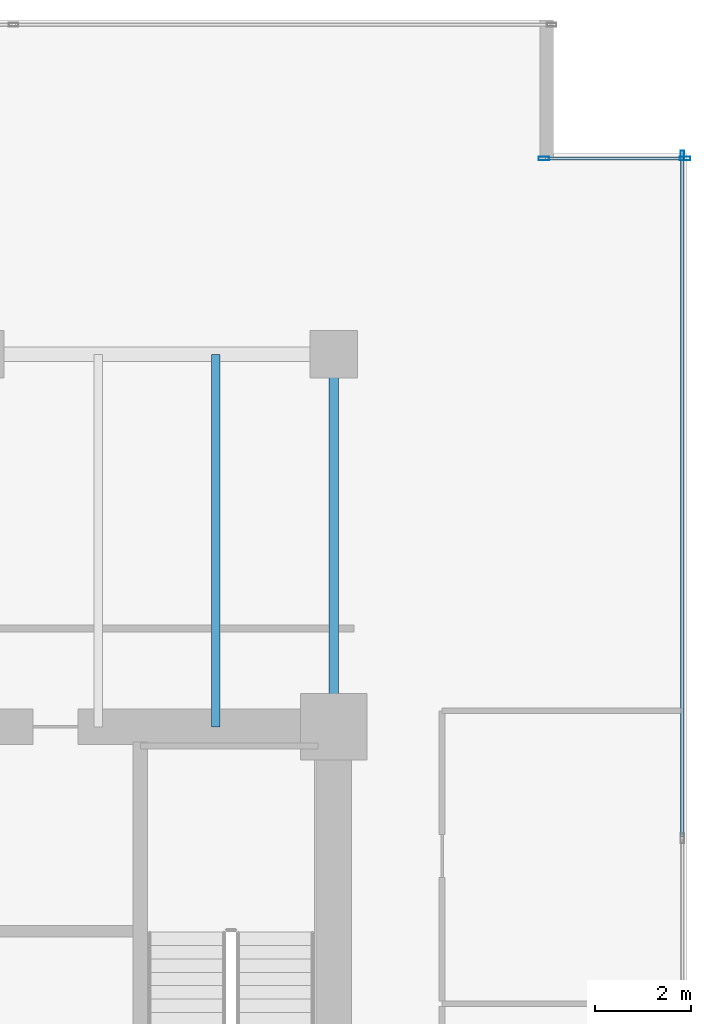
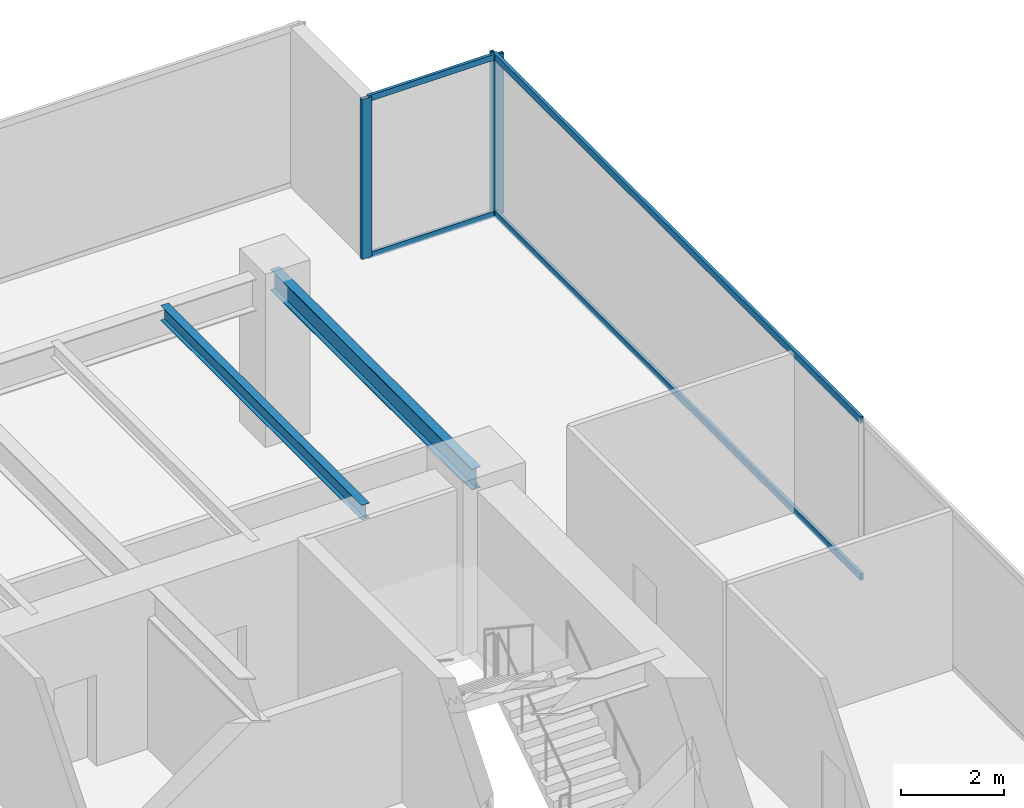
# One storey, part 26 of 35: 7 members, 2 beams, 2 elements without a shape of their own.
"""IFC4 building model written with IfcOpenShell, lengths in metres."""

from ifc_helpers import new_model, si_unit, direction, frame, origin, origin_2d, place, context, subcontext, project, spatial, hollow_rectangle, i_section, extrude, source, transform, mapped, material, layer, layer_set, material_profile, profile_set, type_object, type_shapes, element, aggregate, save


model = new_model("IFC4")

# Units and contexts
model_context = context("Model", 3, precision=1e-05, world=origin(), true_north=direction((0.0, 1.0)))
body_context = subcontext(model_context, "Body", "Model", "MODEL_VIEW")
ifc_project = project(units=[si_unit("LENGTHUNIT", "METRE"), si_unit("AREAUNIT", "SQUARE_METRE"), si_unit("VOLUMEUNIT", "CUBIC_METRE"), si_unit("PLANEANGLEUNIT", "RADIAN"), si_unit("MASSUNIT", "GRAM", prefix="KILO")], contexts=[model_context])

# Site, building, storey
site_placement = place(None, origin())
site = spatial("IfcSite", under=ifc_project, at=site_placement, CompositionType="ELEMENT")
building_placement = place(site_placement, origin())
building = spatial("IfcBuilding", under=site, at=building_placement, Name="Haelvirn Gate Laboratories", CompositionType="ELEMENT")
storey_placement = place(building_placement, frame((0.0, 0.0, 45.699951171875)))
storey = spatial("IfcBuildingStorey", under=building, at=storey_placement, Name="L11", CompositionType="ELEMENT", Elevation=45.699951171875)

# Beams
ifc_material_1 = material(Name="Steel SM355", Category="steel")
ifc_material_profile_1 = material_profile(ifc_material_1, i_section(OverallWidth=0.199951171875, OverallDepth=0.5, WebThickness=0.010009765625, FlangeThickness=0.01611328125, at=origin_2d()), Name="H-500x200x10x16")
ifc_profile_set_1 = profile_set([ifc_material_profile_1], Name="Steel SM355")
beam_type_1 = type_object("IfcBeamType", Name="BM-SP-500", PredefinedType="SPANDREL", material=ifc_profile_set_1)
shared_shape_1 = source(origin(), body_context, "Body", "SweptSolid", [
    extrude(i_section(OverallWidth=0.199951171875, OverallDepth=0.5, WebThickness=0.010009765625, FlangeThickness=0.01611328125, at=origin_2d()), origin(), (0.0, 0.0, 1.0), 7.800048828125),
])
type_shapes(beam_type_1, [shared_shape_1])
beam_1_placement = place(storey_placement, frame((67.39990234375, 33.800048828125, 3.530029296875), z_axis=(0.0, 1.0, 0.0), x_axis=(-1.0, 0.0, 0.0)))
element("IfcBeam", 1, at=beam_1_placement, inside=storey, type_object=beam_type_1, Name="L11 Perimeter Spandrel X67.4 (33.8-41.6)", PredefinedType="SPANDREL", context=body_context, shape_type="MappedRepresentation", body=[
    mapped(shared_shape_1, transform((0.0, 0.0, 0.0), scale=1.0)),
])
ifc_material_profile_2 = material_profile(ifc_material_1, i_section(OverallWidth=0.175048828125, OverallDepth=0.35009765625, WebThickness=0.007080078125, FlangeThickness=0.010986328125, at=origin_2d()), Name="H-350x175x7x11")
ifc_profile_set_2 = profile_set([ifc_material_profile_2], Name="Steel SM355")
beam_type_2 = type_object("IfcBeamType", Name="BM-J-350", PredefinedType="JOIST", material=ifc_profile_set_2)
shared_shape_2 = source(origin(), body_context, "Body", "SweptSolid", [
    extrude(i_section(OverallWidth=0.175048828125, OverallDepth=0.35009765625, WebThickness=0.007080078125, FlangeThickness=0.010986328125, at=origin_2d()), origin(), (0.0, 0.0, 1.0), 7.800048828125),
])
type_shapes(beam_type_2, [shared_shape_2])
beam_2_placement = place(storey_placement, frame((64.929931640625, 33.800048828125, 3.60498046875), z_axis=(0.0, 1.0, 0.0), x_axis=(-1.0, 0.0, 0.0)))
element("IfcBeam", 2, at=beam_2_placement, inside=storey, type_object=beam_type_2, Name="L11 Composite Lab Joist North X64.93", PredefinedType="JOIST", context=body_context, shape_type="MappedRepresentation", body=[
    mapped(shared_shape_2, transform((0.0, 0.0, 0.0), scale=1.0)),
])

# Curtain wall, member
ifc_material_2 = material(Name="Anodised bronze unitised aluminium & triple low-E glass", Category="aluminium")
ifc_layer_1 = layer(ifc_material_2, 0.18408203125, Name="CW-SYS-2")
ifc_layer_set_1 = layer_set([ifc_layer_1], Name="Anodised bronze unitised aluminium & triple low-E glass")
curtain_wall_type_1 = type_object("IfcCurtainWallType", Name="CW-SYS-2", PredefinedType="NOTDEFINED", material=ifc_layer_set_1)
curtain_wall_1_placement = place(storey_placement, origin())
curtain_wall_1 = element("IfcCurtainWall", 3, at=curtain_wall_1_placement, inside=storey, type_object=curtain_wall_type_1, Name="L11 Unitised Curtain Wall CW-L11-P0-E07", PredefinedType="NOTDEFINED")
ifc_material_3 = material(Name="Extruded aluminium 6063-T6 (anodised bronze)", Category="aluminium")
ifc_material_profile_3 = material_profile(ifc_material_3, hollow_rectangle(XDim=0.074951171875, YDim=0.199951171875, WallThickness=0.0048828125, at=origin_2d()), Name="CWM-200x75x5")
ifc_profile_set_3 = profile_set([ifc_material_profile_3], Name="Extruded aluminium 6063-T6 (anodised bronze)")
member_type_1 = type_object("IfcMemberType", Name="CWM-T200", PredefinedType="MULLION", material=ifc_profile_set_3)
shared_shape_3 = source(origin(), body_context, "Body", "SweptSolid", [
    extrude(hollow_rectangle(XDim=0.074951171875, YDim=0.199951171875, WallThickness=0.0048828125, at=origin_2d()), origin(), (0.0, 0.0, 1.0), 3.780029296875),
])
type_shapes(member_type_1, [shared_shape_3])
member_1_placement = place(storey_placement, frame((74.699951171875, 45.762451171875, 0.0), z_axis=(0.0, 0.0, 1.0), x_axis=(-1.0, 0.0, 0.0)))
member_1 = element("IfcMember", 4, at=member_1_placement, type_object=member_type_1, Name="CW2 mullion 4", PredefinedType="MULLION", context=body_context, shape_type="MappedRepresentation", body=[
    mapped(shared_shape_3, transform((0.0, 0.0, 0.0), scale=1.0)),
])

# Curtain wall, members
ifc_layer_2 = layer(ifc_material_2, 0.181884765625, Name="CW-SYS-5")
ifc_layer_set_2 = layer_set([ifc_layer_2], Name="Anodised bronze unitised aluminium & triple low-E glass")
curtain_wall_type_2 = type_object("IfcCurtainWallType", Name="CW-SYS-5", PredefinedType="NOTDEFINED", material=ifc_layer_set_2)
curtain_wall_2_placement = place(storey_placement, origin())
curtain_wall_2 = element("IfcCurtainWall", 5, at=curtain_wall_2_placement, inside=storey, type_object=curtain_wall_type_2, Name="L11 Unitised Curtain Wall CW-L11-P0-E08-1", PredefinedType="NOTDEFINED")
ifc_material_profile_4 = material_profile(ifc_material_3, hollow_rectangle(XDim=0.080078125, YDim=0.219970703125, WallThickness=0.006103515625, at=origin_2d()), Name="CWM-220x80x6")
ifc_profile_set_4 = profile_set([ifc_material_profile_4], Name="Extruded aluminium 6063-T6 (anodised bronze)")
member_type_2 = type_object("IfcMemberType", Name="CWM-T220", PredefinedType="MULLION", material=ifc_profile_set_4)
shared_shape_4 = source(origin(), body_context, "Body", "SweptSolid", [
    extrude(hollow_rectangle(XDim=0.080078125, YDim=0.219970703125, WallThickness=0.006103515625, at=origin_2d()), origin(), (0.0, 0.0, 1.0), 3.780029296875),
])
type_shapes(member_type_2, [shared_shape_4])
member_2_placement = place(storey_placement, frame((71.800048828125, 45.699951171875, 0.0), z_axis=(0.0, 0.0, 1.0), x_axis=(0.0, 1.0, 0.0)))
member_2 = element("IfcMember", 6, at=member_2_placement, type_object=member_type_2, Name="CW5 mullion 1", PredefinedType="MULLION", context=body_context, shape_type="MappedRepresentation", body=[
    mapped(shared_shape_4, transform((0.0, 0.0, 0.0), scale=1.0)),
])
member_3_placement = place(storey_placement, frame((74.760009765625, 45.699951171875, 0.0), z_axis=(0.0, 0.0, 1.0), x_axis=(0.0, 1.0, 0.0)))
member_3 = element("IfcMember", 7, at=member_3_placement, type_object=member_type_2, Name="CW5 mullion 2", PredefinedType="MULLION", context=body_context, shape_type="MappedRepresentation", body=[
    mapped(shared_shape_4, transform((0.0, 0.0, 0.0), scale=1.0)),
])
ifc_material_profile_5 = material_profile(ifc_material_3, hollow_rectangle(XDim=0.06494140625, YDim=0.139892578125, WallThickness=0.00390625, at=origin_2d()), Name="CWT-140x65x4")
ifc_profile_set_5 = profile_set([ifc_material_profile_5], Name="Extruded aluminium 6063-T6 (anodised bronze)")
member_type_3 = type_object("IfcMemberType", Name="CWT-T140", PredefinedType="USERDEFINED", material=ifc_profile_set_5)
shared_shape_5 = source(origin(), body_context, "Body", "SweptSolid", [
    extrude(hollow_rectangle(XDim=0.06494140625, YDim=0.139892578125, WallThickness=0.00390625, at=origin_2d()), origin(), (0.0, 0.0, 1.0), 2.8798828125),
])
type_shapes(member_type_3, [shared_shape_5])
member_4_placement = place(storey_placement, frame((71.840087890625, 45.699951171875, 0.032470703125), z_axis=(1.0, 0.0, 0.0), x_axis=(0.0, 1.0, 0.0)))
member_4 = element("IfcMember", 8, at=member_4_placement, type_object=member_type_3, Name="CW5 transom 1.1", ObjectType="TRANSOM", PredefinedType="USERDEFINED", context=body_context, shape_type="MappedRepresentation", body=[
    mapped(shared_shape_5, transform((0.0, 0.0, 0.0), scale=1.0)),
])
member_5_placement = place(storey_placement, frame((71.840087890625, 45.699951171875, 3.74755859375), z_axis=(1.0, 0.0, 0.0), x_axis=(0.0, 1.0, 0.0)))
member_5 = element("IfcMember", 9, at=member_5_placement, type_object=member_type_3, Name="CW5 transom 1.2", ObjectType="TRANSOM", PredefinedType="USERDEFINED", context=body_context, shape_type="MappedRepresentation", body=[
    mapped(shared_shape_5, transform((0.0, 0.0, 0.0), scale=1.0)),
])
aggregate(curtain_wall_2, [member_2, member_3, member_4, member_5])

# Member
ifc_material_profile_6 = material_profile(ifc_material_3, hollow_rectangle(XDim=0.070068359375, YDim=0.159912109375, WallThickness=0.0048828125, at=origin_2d()), Name="CWT-160x70x5")
ifc_profile_set_6 = profile_set([ifc_material_profile_6], Name="Extruded aluminium 6063-T6 (anodised bronze)")
member_type_4 = type_object("IfcMemberType", Name="CWT-T160", PredefinedType="USERDEFINED", material=ifc_profile_set_6)
shared_shape_6 = source(origin(), body_context, "Body", "SweptSolid", [
    extrude(hollow_rectangle(XDim=0.070068359375, YDim=0.159912109375, WallThickness=0.0048828125, at=origin_2d()), origin(), (0.0, 0.0, 1.0), 14.220947265625),
])
type_shapes(member_type_4, [shared_shape_6])
member_6_placement = place(storey_placement, frame((74.699951171875, 31.504150390625, 0.03515625), z_axis=(0.0, 1.0, 0.0), x_axis=(-1.0, 0.0, 0.0)))
member_6 = element("IfcMember", 10, at=member_6_placement, type_object=member_type_4, Name="CW2 transom 3.1", ObjectType="TRANSOM", PredefinedType="USERDEFINED", context=body_context, shape_type="MappedRepresentation", body=[
    mapped(shared_shape_6, transform((0.0, 0.0, 0.0), scale=1.0)),
])

member_7_placement = place(storey_placement, frame((74.699951171875, 31.504150390625, 3.7451171875), z_axis=(0.0, 1.0, 0.0), x_axis=(-1.0, 0.0, 0.0)))
member_7 = element("IfcMember", 11, at=member_7_placement, type_object=member_type_4, Name="CW2 transom 3.2", ObjectType="TRANSOM", PredefinedType="USERDEFINED", context=body_context, shape_type="MappedRepresentation", body=[
    mapped(shared_shape_6, transform((0.0, 0.0, 0.0), scale=1.0)),
])

aggregate(curtain_wall_1, [member_1, member_6, member_7])

save(model, "model.ifc")
